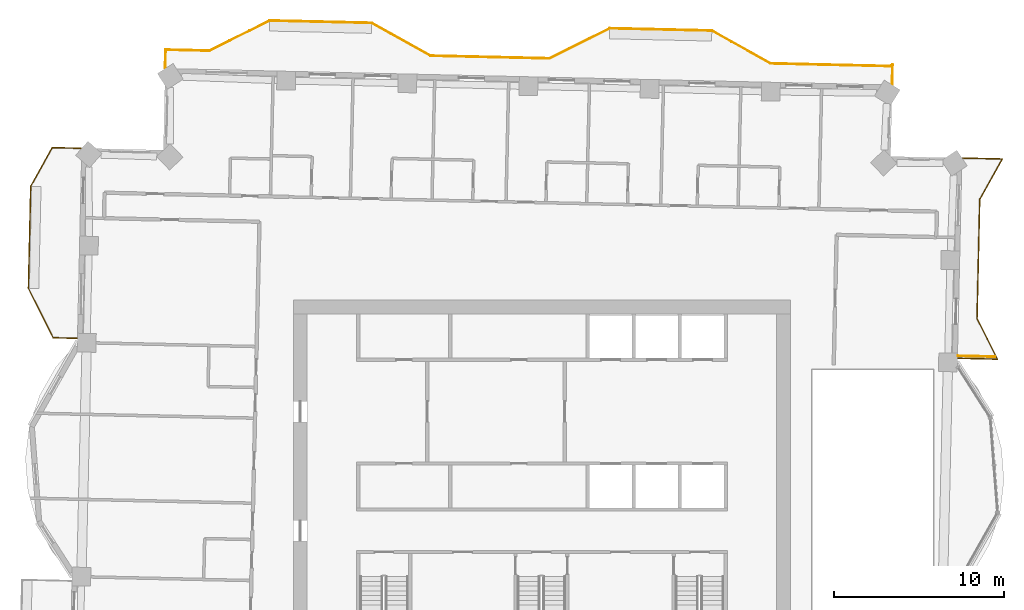
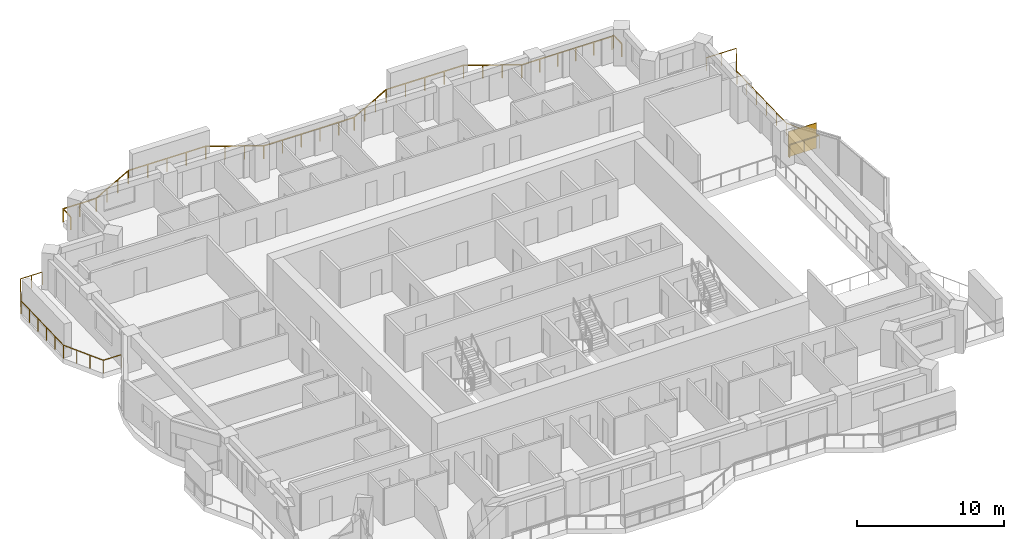
# One storey, part 16 of 16: 3 railings, 1 shading device.
"""IFC4 building model written with IfcOpenShell, lengths in metres."""

from ifc_helpers import new_model, si_unit, direction, frame, origin, origin_2d, place, context, subcontext, project, spatial, rectangle, extrude, material, type_object, element, save


model = new_model("IFC4")

# Units and contexts
model_context = context("Model", 3, precision=1e-05, world=origin(), true_north=direction((0.0, 1.0)))
body_context = subcontext(model_context, "Body", "Model", "MODEL_VIEW")
ifc_project = project(units=[si_unit("LENGTHUNIT", "METRE"), si_unit("AREAUNIT", "SQUARE_METRE"), si_unit("VOLUMEUNIT", "CUBIC_METRE"), si_unit("PLANEANGLEUNIT", "RADIAN"), si_unit("MASSUNIT", "GRAM", prefix="KILO")], contexts=[model_context])

# Site, building, storey
site_placement = place(None, origin())
site = spatial("IfcSite", under=ifc_project, at=site_placement, CompositionType="ELEMENT")
building_placement = place(site_placement, origin())
building = spatial("IfcBuilding", under=site, at=building_placement, Name="Mangrove Gate Tower", CompositionType="ELEMENT")
storey_placement = place(building_placement, frame((0.0, 0.0, 215.89990234375)))
storey = spatial("IfcBuildingStorey", under=building, at=storey_placement, Name="L55", CompositionType="ELEMENT", Elevation=215.89990234375)

# Railings
ifc_material_1 = material(Name="Stainless steel grade 316 with laminated glass infill", Category="steel")
railing_type = type_object("IfcRailingType", Name="Balcony guard 1100", PredefinedType="GUARDRAIL", material=ifc_material_1)
railing_1_placement = place(storey_placement, frame((24.467041015625, 8.18603515625, 0.0)))
element("IfcRailing", 1, at=railing_1_placement, inside=storey, type_object=railing_type, Name="GUARD L55 E2", PredefinedType="GUARDRAIL", context=body_context, shape_type="SweptSolid", body=[
    extrude(rectangle(XDim=0.048095703125, YDim=0.048095703125, at=origin_2d()), frame((0.0, 0.0, 1.076171875), z_axis=(0.999738230516, -0.022879476484, 0.0), x_axis=(0.022879476484, 0.999738230516, 0.0)), (0.0, 0.0, 1.0), 2.3154296875),
    extrude(rectangle(XDim=0.048095703125, YDim=0.048095703125, at=origin_2d()), frame((2.31494140625, -0.052978515625, 1.076171875), z_axis=(-0.44706817201, 0.894499887969, 0.0), x_axis=(-0.894499887969, -0.44706817201, 0.0)), (0.0, 0.0, 1.0), 2.686279296875),
    extrude(rectangle(XDim=0.048095703125, YDim=0.048095703125, at=origin_2d()), frame((1.114013671875, 2.349853515625, 1.076171875), z_axis=(0.022566119286, 0.999745352708, 0.0), x_axis=(-0.999745352708, 0.022566119286, 0.0)), (0.0, 0.0, 1.0), 6.999755859375),
    extrude(rectangle(XDim=0.048095703125, YDim=0.048095703125, at=origin_2d()), frame((1.27197265625, 9.347900390625, 1.076171875), z_axis=(0.487252954135, 0.873260876649, 0.0), x_axis=(-0.873260876649, 0.487252954135, 0.0)), (0.0, 0.0, 1.0), 2.71533203125),
    extrude(rectangle(XDim=0.048095703125, YDim=0.048095703125, at=origin_2d()), frame((2.594970703125, 11.718994140625, 1.076171875), z_axis=(-0.999750635712, 0.022330839493, 0.0), x_axis=(-0.022330839493, -0.999750635712, 0.0)), (0.0, 0.0, 1.0), 2.32861328125),
    extrude(rectangle(XDim=0.0419921875, YDim=0.0419921875, at=origin_2d()), origin(), (0.0, 0.0, 1.0), 1.052001953125),
    extrude(rectangle(XDim=0.0419921875, YDim=0.0419921875, at=origin_2d()), frame((1.157470703125, -0.0263671875, 0.0)), (0.0, 0.0, 1.0), 1.052001953125),
    extrude(rectangle(XDim=0.0419921875, YDim=0.0419921875, at=origin_2d()), frame((2.31494140625, -0.052978515625, 0.0)), (0.0, 0.0, 1.0), 1.052001953125),
    extrude(rectangle(XDim=0.0419921875, YDim=0.0419921875, at=origin_2d()), frame((1.71435546875, 1.1484375, 0.0)), (0.0, 0.0, 1.0), 1.052001953125),
    extrude(rectangle(XDim=0.0419921875, YDim=0.0419921875, at=origin_2d()), frame((1.114013671875, 2.349853515625, 0.0)), (0.0, 0.0, 1.0), 1.052001953125),
    extrude(rectangle(XDim=0.0419921875, YDim=0.0419921875, at=origin_2d()), frame((1.1455078125, 3.74951171875, 0.0)), (0.0, 0.0, 1.0), 1.052001953125),
    extrude(rectangle(XDim=0.0419921875, YDim=0.0419921875, at=origin_2d()), frame((1.17724609375, 5.149169921875, 0.0)), (0.0, 0.0, 1.0), 1.052001953125),
    extrude(rectangle(XDim=0.0419921875, YDim=0.0419921875, at=origin_2d()), frame((1.208740234375, 6.548583984375, 0.0)), (0.0, 0.0, 1.0), 1.052001953125),
    extrude(rectangle(XDim=0.0419921875, YDim=0.0419921875, at=origin_2d()), frame((1.240478515625, 7.9482421875, 0.0)), (0.0, 0.0, 1.0), 1.052001953125),
    extrude(rectangle(XDim=0.0419921875, YDim=0.0419921875, at=origin_2d()), frame((1.27197265625, 9.347900390625, 0.0)), (0.0, 0.0, 1.0), 1.052001953125),
    extrude(rectangle(XDim=0.0419921875, YDim=0.0419921875, at=origin_2d()), frame((1.93359375, 10.533447265625, 0.0)), (0.0, 0.0, 1.0), 1.052001953125),
    extrude(rectangle(XDim=0.0419921875, YDim=0.0419921875, at=origin_2d()), frame((2.594970703125, 11.718994140625, 0.0)), (0.0, 0.0, 1.0), 1.052001953125),
    extrude(rectangle(XDim=0.0419921875, YDim=0.0419921875, at=origin_2d()), frame((1.430908203125, 11.7451171875, 0.0)), (0.0, 0.0, 1.0), 1.052001953125),
    extrude(rectangle(XDim=0.0419921875, YDim=0.0419921875, at=origin_2d()), frame((0.266845703125, 11.77099609375, 0.0)), (0.0, 0.0, 1.0), 1.052001953125),
])
railing_2_placement = place(storey_placement, frame((20.591064453125, 24.2919921875, 0.0)))
element("IfcRailing", 2, at=railing_2_placement, inside=storey, type_object=railing_type, Name="GUARD L55 N1", PredefinedType="GUARDRAIL", context=body_context, shape_type="SweptSolid", body=[
    extrude(rectangle(XDim=0.048095703125, YDim=0.048095703125, at=origin_2d()), frame((0.0, 0.0, 1.076171875), z_axis=(0.022475763127, 0.99974738813, 0.0), x_axis=(-0.99974738813, 0.022475763127, 0.0)), (0.0, 0.0, 1.0), 1.1513671875),
    extrude(rectangle(XDim=0.048095703125, YDim=0.048095703125, at=origin_2d()), frame((0.02587890625, 1.151123046875, 1.076171875), z_axis=(-0.89392442231, -0.448217722984, 0.0), x_axis=(0.448217722984, -0.89392442231, 0.0)), (0.0, 0.0, 1.0), 0.1943359375),
    extrude(rectangle(XDim=0.048095703125, YDim=0.048095703125, at=origin_2d()), frame((-0.14794921875, 1.06396484375, 1.076171875), z_axis=(-0.999742195543, 0.022705559911, 0.0), x_axis=(-0.022705559911, -0.999742195543, 0.0)), (0.0, 0.0, 1.0), 6.999755859375),
    extrude(rectangle(XDim=0.048095703125, YDim=0.048095703125, at=origin_2d()), frame((-7.14599609375, 1.222900390625, 1.076171875), z_axis=(-0.873230657876, 0.487307108654, 0.0), x_axis=(-0.487307108654, -0.873230657876, 0.0)), (0.0, 0.0, 1.0), 3.958984375),
    extrude(rectangle(XDim=0.048095703125, YDim=0.048095703125, at=origin_2d()), frame((-10.60302734375, 3.152099609375, 1.076171875), z_axis=(-0.999743094499, 0.022665943652, 0.0), x_axis=(-0.022665943652, -0.999743094499, 0.0)), (0.0, 0.0, 1.0), 5.99951171875),
    extrude(rectangle(XDim=0.048095703125, YDim=0.048095703125, at=origin_2d()), frame((-16.60107421875, 3.2880859375, 1.076171875), z_axis=(-0.894476522376, -0.447114919141, 0.0), x_axis=(0.447114919141, -0.894476522376, 0.0)), (0.0, 0.0, 1.0), 3.958740234375),
    extrude(rectangle(XDim=0.048095703125, YDim=0.048095703125, at=origin_2d()), frame((-20.14208984375, 1.51806640625, 1.076171875), z_axis=(-0.99974965137, 0.022374865036, 0.0), x_axis=(-0.022374865036, -0.99974965137, 0.0)), (0.0, 0.0, 1.0), 1.2001953125),
    extrude(rectangle(XDim=0.048095703125, YDim=0.048095703125, at=origin_2d()), frame((-21.342041015625, 1.544921875, 1.076171875), z_axis=(-0.999740726178, 0.022770165152, 0.0), x_axis=(-0.022770165152, -0.999740726178, 0.0)), (0.0, 0.0, 1.0), 5.800537109375),
    extrude(rectangle(XDim=0.048095703125, YDim=0.048095703125, at=origin_2d()), frame((-27.14111328125, 1.677001953125, 1.076171875), z_axis=(-0.873361856081, 0.487071933437, 0.0), x_axis=(-0.487071933437, -0.873361856081, 0.0)), (0.0, 0.0, 1.0), 3.958251953125),
    extrude(rectangle(XDim=0.048095703125, YDim=0.048095703125, at=origin_2d()), frame((-30.59814453125, 3.60498046875, 1.076171875), z_axis=(-0.999739371644, 0.02282955947, 0.0), x_axis=(-0.02282955947, -0.999739371644, 0.0)), (0.0, 0.0, 1.0), 5.999267578125),
    extrude(rectangle(XDim=0.048095703125, YDim=0.048095703125, at=origin_2d()), frame((-36.595947265625, 3.741943359375, 1.076171875), z_axis=(-0.894377854182, -0.447312255532, 0.0), x_axis=(0.447312255532, -0.894377854182, 0.0)), (0.0, 0.0, 1.0), 3.959228515625),
    extrude(rectangle(XDim=0.048095703125, YDim=0.048095703125, at=origin_2d()), frame((-40.136962890625, 1.970947265625, 1.076171875), z_axis=(-0.999736269824, 0.022964990726, 0.0), x_axis=(-0.022964990726, -0.999736269824, 0.0)), (0.0, 0.0, 1.0), 2.57275390625),
    extrude(rectangle(XDim=0.048095703125, YDim=0.048095703125, at=origin_2d()), frame((-42.708984375, 2.030029296875, 1.076171875), z_axis=(-0.021874083301, -0.999760733616, 0.0), x_axis=(0.999760733616, -0.021874083301, 0.0)), (0.0, 0.0, 1.0), 1.060302734375),
    extrude(rectangle(XDim=0.0419921875, YDim=0.0419921875, at=origin_2d()), origin(), (0.0, 0.0, 1.0), 1.052001953125),
    extrude(rectangle(XDim=0.0419921875, YDim=0.0419921875, at=origin_2d()), frame((0.02587890625, 1.151123046875, 0.0)), (0.0, 0.0, 1.0), 1.052001953125),
    extrude(rectangle(XDim=0.0419921875, YDim=0.0419921875, at=origin_2d()), frame((-0.14794921875, 1.06396484375, 0.0)), (0.0, 0.0, 1.0), 1.052001953125),
    extrude(rectangle(XDim=0.0419921875, YDim=0.0419921875, at=origin_2d()), frame((-1.547607421875, 1.095703125, 0.0)), (0.0, 0.0, 1.0), 1.052001953125),
    extrude(rectangle(XDim=0.0419921875, YDim=0.0419921875, at=origin_2d()), frame((-2.947265625, 1.12744140625, 0.0)), (0.0, 0.0, 1.0), 1.052001953125),
    extrude(rectangle(XDim=0.0419921875, YDim=0.0419921875, at=origin_2d()), frame((-4.3466796875, 1.159423828125, 0.0)), (0.0, 0.0, 1.0), 1.052001953125),
    extrude(rectangle(XDim=0.0419921875, YDim=0.0419921875, at=origin_2d()), frame((-5.746337890625, 1.191162109375, 0.0)), (0.0, 0.0, 1.0), 1.052001953125),
    extrude(rectangle(XDim=0.0419921875, YDim=0.0419921875, at=origin_2d()), frame((-7.14599609375, 1.222900390625, 0.0)), (0.0, 0.0, 1.0), 1.052001953125),
    extrude(rectangle(XDim=0.0419921875, YDim=0.0419921875, at=origin_2d()), frame((-8.29833984375, 1.865966796875, 0.0)), (0.0, 0.0, 1.0), 1.052001953125),
    extrude(rectangle(XDim=0.0419921875, YDim=0.0419921875, at=origin_2d()), frame((-9.45068359375, 2.509033203125, 0.0)), (0.0, 0.0, 1.0), 1.052001953125),
    extrude(rectangle(XDim=0.0419921875, YDim=0.0419921875, at=origin_2d()), frame((-10.60302734375, 3.152099609375, 0.0)), (0.0, 0.0, 1.0), 1.052001953125),
    extrude(rectangle(XDim=0.0419921875, YDim=0.0419921875, at=origin_2d()), frame((-12.1025390625, 3.18603515625, 0.0)), (0.0, 0.0, 1.0), 1.052001953125),
    extrude(rectangle(XDim=0.0419921875, YDim=0.0419921875, at=origin_2d()), frame((-13.60205078125, 3.22021484375, 0.0)), (0.0, 0.0, 1.0), 1.052001953125),
    extrude(rectangle(XDim=0.0419921875, YDim=0.0419921875, at=origin_2d()), frame((-15.1015625, 3.254150390625, 0.0)), (0.0, 0.0, 1.0), 1.052001953125),
    extrude(rectangle(XDim=0.0419921875, YDim=0.0419921875, at=origin_2d()), frame((-16.60107421875, 3.2880859375, 0.0)), (0.0, 0.0, 1.0), 1.052001953125),
    extrude(rectangle(XDim=0.0419921875, YDim=0.0419921875, at=origin_2d()), frame((-17.781494140625, 2.697998046875, 0.0)), (0.0, 0.0, 1.0), 1.052001953125),
    extrude(rectangle(XDim=0.0419921875, YDim=0.0419921875, at=origin_2d()), frame((-18.961669921875, 2.108154296875, 0.0)), (0.0, 0.0, 1.0), 1.052001953125),
    extrude(rectangle(XDim=0.0419921875, YDim=0.0419921875, at=origin_2d()), frame((-20.14208984375, 1.51806640625, 0.0)), (0.0, 0.0, 1.0), 1.052001953125),
    extrude(rectangle(XDim=0.0419921875, YDim=0.0419921875, at=origin_2d()), frame((-21.342041015625, 1.544921875, 0.0)), (0.0, 0.0, 1.0), 1.052001953125),
    extrude(rectangle(XDim=0.0419921875, YDim=0.0419921875, at=origin_2d()), frame((-22.791748046875, 1.577880859375, 0.0)), (0.0, 0.0, 1.0), 1.052001953125),
    extrude(rectangle(XDim=0.0419921875, YDim=0.0419921875, at=origin_2d()), frame((-24.24169921875, 1.61083984375, 0.0)), (0.0, 0.0, 1.0), 1.052001953125),
    extrude(rectangle(XDim=0.0419921875, YDim=0.0419921875, at=origin_2d()), frame((-25.69140625, 1.64404296875, 0.0)), (0.0, 0.0, 1.0), 1.052001953125),
    extrude(rectangle(XDim=0.0419921875, YDim=0.0419921875, at=origin_2d()), frame((-27.14111328125, 1.677001953125, 0.0)), (0.0, 0.0, 1.0), 1.052001953125),
    extrude(rectangle(XDim=0.0419921875, YDim=0.0419921875, at=origin_2d()), frame((-28.29345703125, 2.319580078125, 0.0)), (0.0, 0.0, 1.0), 1.052001953125),
    extrude(rectangle(XDim=0.0419921875, YDim=0.0419921875, at=origin_2d()), frame((-29.44580078125, 2.96240234375, 0.0)), (0.0, 0.0, 1.0), 1.052001953125),
    extrude(rectangle(XDim=0.0419921875, YDim=0.0419921875, at=origin_2d()), frame((-30.59814453125, 3.60498046875, 0.0)), (0.0, 0.0, 1.0), 1.052001953125),
    extrude(rectangle(XDim=0.0419921875, YDim=0.0419921875, at=origin_2d()), frame((-32.09765625, 3.63916015625, 0.0)), (0.0, 0.0, 1.0), 1.052001953125),
    extrude(rectangle(XDim=0.0419921875, YDim=0.0419921875, at=origin_2d()), frame((-33.59716796875, 3.67333984375, 0.0)), (0.0, 0.0, 1.0), 1.052001953125),
    extrude(rectangle(XDim=0.0419921875, YDim=0.0419921875, at=origin_2d()), frame((-35.096435546875, 3.707763671875, 0.0)), (0.0, 0.0, 1.0), 1.052001953125),
    extrude(rectangle(XDim=0.0419921875, YDim=0.0419921875, at=origin_2d()), frame((-36.595947265625, 3.741943359375, 0.0)), (0.0, 0.0, 1.0), 1.052001953125),
    extrude(rectangle(XDim=0.0419921875, YDim=0.0419921875, at=origin_2d()), frame((-37.7763671875, 3.151611328125, 0.0)), (0.0, 0.0, 1.0), 1.052001953125),
    extrude(rectangle(XDim=0.0419921875, YDim=0.0419921875, at=origin_2d()), frame((-38.95654296875, 2.561279296875, 0.0)), (0.0, 0.0, 1.0), 1.052001953125),
    extrude(rectangle(XDim=0.0419921875, YDim=0.0419921875, at=origin_2d()), frame((-40.136962890625, 1.970947265625, 0.0)), (0.0, 0.0, 1.0), 1.052001953125),
    extrude(rectangle(XDim=0.0419921875, YDim=0.0419921875, at=origin_2d()), frame((-41.4228515625, 2.00048828125, 0.0)), (0.0, 0.0, 1.0), 1.052001953125),
    extrude(rectangle(XDim=0.0419921875, YDim=0.0419921875, at=origin_2d()), frame((-42.708984375, 2.030029296875, 0.0)), (0.0, 0.0, 1.0), 1.052001953125),
    extrude(rectangle(XDim=0.0419921875, YDim=0.0419921875, at=origin_2d()), frame((-42.732177734375, 0.969970703125, 0.0)), (0.0, 0.0, 1.0), 1.052001953125),
])
railing_3_placement = place(storey_placement, frame((-27.090087890625, 20.532958984375, 0.0)))
element("IfcRailing", 3, at=railing_3_placement, inside=storey, type_object=railing_type, Name="GUARD L55 W1", PredefinedType="GUARDRAIL", context=body_context, shape_type="SweptSolid", body=[
    extrude(rectangle(XDim=0.048095703125, YDim=0.048095703125, at=origin_2d()), frame((0.0, 0.0, 1.076171875), z_axis=(-0.999734191911, 0.023055271073, 0.0), x_axis=(-0.023055271073, -0.999734191911, 0.0)), (0.0, 0.0, 1.0), 1.6943359375),
    extrude(rectangle(XDim=0.048095703125, YDim=0.048095703125, at=origin_2d()), frame((-1.69384765625, 0.0390625, 1.076171875), z_axis=(-0.487362831614, -0.8731995593, 0.0), x_axis=(0.8731995593, -0.487362831614, 0.0)), (0.0, 0.0, 1.0), 2.601806640625),
    extrude(rectangle(XDim=0.048095703125, YDim=0.048095703125, at=origin_2d()), frame((-2.9619140625, -2.23291015625, 1.076171875), z_axis=(-0.022662255828, -0.999743178102, 0.0), x_axis=(0.999743178102, -0.022662255828, 0.0)), (0.0, 0.0, 1.0), 6.00048828125),
    extrude(rectangle(XDim=0.048095703125, YDim=0.048095703125, at=origin_2d()), frame((-3.097900390625, -8.23193359375, 1.076171875), z_axis=(0.447243631758, -0.894412172241, 0.0), x_axis=(0.894412172241, 0.447243631758, 0.0)), (0.0, 0.0, 1.0), 3.251220703125),
    extrude(rectangle(XDim=0.048095703125, YDim=0.048095703125, at=origin_2d()), frame((-1.643798828125, -11.139892578125, 1.076171875), z_axis=(0.999735358589, -0.023004625325, 0.0), x_axis=(0.023004625325, 0.999735358589, 0.0)), (0.0, 0.0, 1.0), 1.390380859375),
    extrude(rectangle(XDim=0.0419921875, YDim=0.0419921875, at=origin_2d()), origin(), (0.0, 0.0, 1.0), 1.052001953125),
    extrude(rectangle(XDim=0.0419921875, YDim=0.0419921875, at=origin_2d()), frame((-0.846923828125, 0.01953125, 0.0)), (0.0, 0.0, 1.0), 1.052001953125),
    extrude(rectangle(XDim=0.0419921875, YDim=0.0419921875, at=origin_2d()), frame((-1.69384765625, 0.0390625, 0.0)), (0.0, 0.0, 1.0), 1.052001953125),
    extrude(rectangle(XDim=0.0419921875, YDim=0.0419921875, at=origin_2d()), frame((-2.327880859375, -1.096923828125, 0.0)), (0.0, 0.0, 1.0), 1.052001953125),
    extrude(rectangle(XDim=0.0419921875, YDim=0.0419921875, at=origin_2d()), frame((-2.9619140625, -2.23291015625, 0.0)), (0.0, 0.0, 1.0), 1.052001953125),
    extrude(rectangle(XDim=0.0419921875, YDim=0.0419921875, at=origin_2d()), frame((-2.989013671875, -3.4326171875, 0.0)), (0.0, 0.0, 1.0), 1.052001953125),
    extrude(rectangle(XDim=0.0419921875, YDim=0.0419921875, at=origin_2d()), frame((-3.016357421875, -4.632568359375, 0.0)), (0.0, 0.0, 1.0), 1.052001953125),
    extrude(rectangle(XDim=0.0419921875, YDim=0.0419921875, at=origin_2d()), frame((-3.04345703125, -5.832275390625, 0.0)), (0.0, 0.0, 1.0), 1.052001953125),
    extrude(rectangle(XDim=0.0419921875, YDim=0.0419921875, at=origin_2d()), frame((-3.07080078125, -7.0322265625, 0.0)), (0.0, 0.0, 1.0), 1.052001953125),
    extrude(rectangle(XDim=0.0419921875, YDim=0.0419921875, at=origin_2d()), frame((-3.097900390625, -8.23193359375, 0.0)), (0.0, 0.0, 1.0), 1.052001953125),
    extrude(rectangle(XDim=0.0419921875, YDim=0.0419921875, at=origin_2d()), frame((-2.61328125, -9.201171875, 0.0)), (0.0, 0.0, 1.0), 1.052001953125),
    extrude(rectangle(XDim=0.0419921875, YDim=0.0419921875, at=origin_2d()), frame((-2.12841796875, -10.170654296875, 0.0)), (0.0, 0.0, 1.0), 1.052001953125),
    extrude(rectangle(XDim=0.0419921875, YDim=0.0419921875, at=origin_2d()), frame((-1.643798828125, -11.139892578125, 0.0)), (0.0, 0.0, 1.0), 1.052001953125),
    extrude(rectangle(XDim=0.0419921875, YDim=0.0419921875, at=origin_2d()), frame((-0.25390625, -11.171875, 0.0)), (0.0, 0.0, 1.0), 1.052001953125),
])

# Shading device
ifc_material_2 = material(Name="Timber slat screen in teak", Category="wood")
shading_device_type = type_object("IfcShadingDeviceType", Name="Balcony screen 2100", PredefinedType="USERDEFINED", material=ifc_material_2)
shading_device_placement = place(storey_placement, frame((25.548095703125, 8.301025390625, 0.0), z_axis=(0.0, 0.0, 1.0), x_axis=(0.999736234843, -0.022966513488, 0.0)))
element("IfcShadingDevice", 4, at=shading_device_placement, inside=storey, type_object=shading_device_type, Name="SCREEN L55 E1", ObjectType="SCREEN", PredefinedType="USERDEFINED", context=body_context, shape_type="SweptSolid", body=[
    extrude(rectangle(XDim=2.196044921875, YDim=0.050048828125, at=origin_2d()), origin(), (0.0, 0.0, 1.0), 2.10009765625),
])

save(model, "model.ifc")
